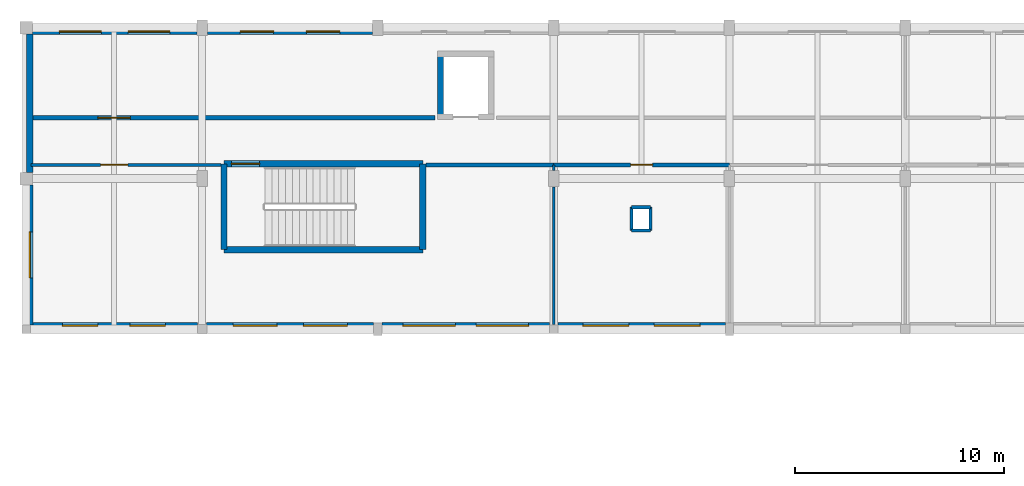
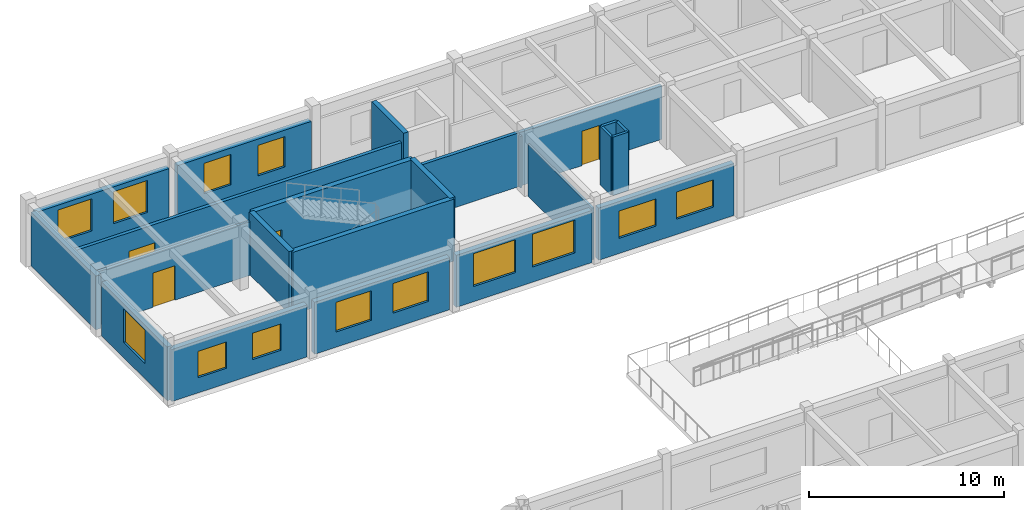
# One storey, part 29 of 41: 23 walls, 13 windows, 4 doors, 17 openings.
"""IFC4 building model written with IfcOpenShell, lengths in metres."""

from ifc_helpers import new_model, si_unit, direction, frame, frame_2d, origin, place, context, subcontext, project, spatial, rectangle, extrude, material, layer, layer_set, type_object, element, fill, save


model = new_model("IFC4")

# Units and contexts
model_context = context("Model", 3, precision=1e-05, world=origin(), true_north=direction((0.0, 1.0)))
body_context = subcontext(model_context, "Body", "Model", "MODEL_VIEW")
ifc_project = project(units=[si_unit("LENGTHUNIT", "METRE"), si_unit("AREAUNIT", "SQUARE_METRE"), si_unit("VOLUMEUNIT", "CUBIC_METRE"), si_unit("PLANEANGLEUNIT", "RADIAN"), si_unit("MASSUNIT", "GRAM", prefix="KILO")], contexts=[model_context])

# Site, building, storey
site_placement = place(None, origin())
site = spatial("IfcSite", under=ifc_project, at=site_placement, CompositionType="ELEMENT")
building_placement = place(site_placement, origin())
building = spatial("IfcBuilding", under=site, at=building_placement, Name="Malvenik Polytechnic", CompositionType="ELEMENT")
storey_placement = place(building_placement, frame((0.0, 0.0, 17.699951171875)))
storey = spatial("IfcBuildingStorey", under=building, at=storey_placement, Name="L04", CompositionType="ELEMENT", Elevation=17.699951171875)

# Walls
ifc_material_1 = material(Name="Concrete C35/45", Category="concrete")
ifc_layer_1 = layer(ifc_material_1, 0.280029296875)
ifc_layer_set_1 = layer_set([ifc_layer_1], Name="Concrete C35/45")
wall_type_1 = type_object("IfcWallType", Name="ARC-CW-S280", PredefinedType="SHEAR", material=ifc_layer_set_1)
wall_1_placement = place(storey_placement, frame((19.800048828125, 125.2099609375, 0.0), z_axis=(0.0, 0.0, 1.0), x_axis=(0.0, 1.0, 0.0)))
element("IfcWall", 1, at=wall_1_placement, inside=storey, type_object=wall_type_1, Name="Lift Shaft Shear Wall LS-01 L04 -X", PredefinedType="SHEAR", context=body_context, shape_type="SweptSolid", body=[
    extrude(rectangle(XDim=3.280029296875, YDim=0.280029296875, at=frame_2d((1.64013671875, 0.0))), origin(), (0.0, 0.0, 1.0), 3.880126953125),
])
ifc_layer_2 = layer(ifc_material_1, 0.300048828125)
ifc_layer_set_2 = layer_set([ifc_layer_2], Name="Concrete C35/45")
wall_type_2 = type_object("IfcWallType", Name="ARC-CW-S300", PredefinedType="SHEAR", material=ifc_layer_set_2)
wall_2_placement = place(storey_placement, frame((9.449951171875, 119.0, 0.0), z_axis=(0.0, 0.0, 1.0), x_axis=(0.0, 1.0, 0.0)))
element("IfcWall", 2, at=wall_2_placement, inside=storey, type_object=wall_type_2, Name="Stair Core Shear Wall ST-01 L04 NEAR", PredefinedType="SHEAR", context=body_context, shape_type="SweptSolid", body=[
    extrude(rectangle(XDim=4.10009765625, YDim=0.300048828125, at=frame_2d((2.050048828125, 0.0))), origin(), (0.0, 0.0, 1.0), 3.880126953125),
])

# Wall, opening, door
wall_3_placement = place(storey_placement, frame((9.449951171875, 123.10009765625, 0.0), z_axis=(0.0, 0.0, 1.0), x_axis=(1.0, 0.0, 0.0)))
wall_3 = element("IfcWall", 3, at=wall_3_placement, inside=storey, type_object=wall_type_2, Name="Stair Core Shear Wall ST-01 L04 RGHT", PredefinedType="SHEAR", context=body_context, shape_type="SweptSolid", body=[
    extrude(rectangle(XDim=9.5, YDim=0.300048828125, at=frame_2d((4.75, 0.0))), origin(), (0.0, 0.0, 1.0), 3.880126953125),
])
opening_1_placement = place(wall_3_placement, frame((0.35009765625, 0.0, 0.0)))
opening_1 = element("IfcOpeningElement", 4, at=opening_1_placement, cuts=wall_3, Name="Opening SD-01", PredefinedType="OPENING", context=body_context, shape_type="SweptSolid", body=[
    extrude(rectangle(XDim=1.35009765625, YDim=2.199951171875, at=frame_2d((0.675048828125, 1.10009765625))), frame((0.0, 0.16015625, 0.0), z_axis=(0.0, -1.0, 0.0), x_axis=(1.0, 0.0, 0.0)), (0.0, 0.0, 1.0), 0.320068359375),
])
ifc_material_2 = material(Name="Fire-rated steel stair enclosure door", Category="steel")
door_type_1 = type_object("IfcDoorType", Name="ARC-IDR-SD-01", OperationType="NOTDEFINED", PredefinedType="DOOR", material=ifc_material_2)
door_1_placement = place(opening_1_placement, origin())
door_1 = element("IfcDoor", 5, at=door_1_placement, inside=storey, type_object=door_type_1, Name="Fire Stair Door ST-01 L04", OperationType="SINGLE_SWING_LEFT", OverallHeight=2.199951171875, OverallWidth=1.35009765625, PredefinedType="DOOR", context=body_context, shape_type="SweptSolid", body=[
    extrude(rectangle(XDim=1.35009765625, YDim=2.199951171875, at=frame_2d((0.675048828125, 1.10009765625))), frame((0.0, 0.02490234375, 0.0), z_axis=(0.0, -1.0, 0.0), x_axis=(1.0, 0.0, 0.0)), (0.0, 0.0, 1.0), 0.050048828125),
])
fill(opening_1, door_1)

# Walls
wall_4_placement = place(storey_placement, frame((18.949951171875, 123.10009765625, 0.0), z_axis=(0.0, 0.0, 1.0), x_axis=(0.0, -1.0, 0.0)))
element("IfcWall", 6, at=wall_4_placement, inside=storey, type_object=wall_type_2, Name="Stair Core Shear Wall ST-01 L04 FAR", PredefinedType="SHEAR", context=body_context, shape_type="SweptSolid", body=[
    extrude(rectangle(XDim=4.10009765625, YDim=0.300048828125, at=frame_2d((2.050048828125, 0.0))), origin(), (0.0, 0.0, 1.0), 3.880126953125),
])
wall_5_placement = place(storey_placement, frame((18.949951171875, 119.0, 0.0), z_axis=(0.0, 0.0, 1.0), x_axis=(-1.0, 0.0, 0.0)))
element("IfcWall", 7, at=wall_5_placement, inside=storey, type_object=wall_type_2, Name="Stair Core Shear Wall ST-01 L04 LEFT", PredefinedType="SHEAR", context=body_context, shape_type="SweptSolid", body=[
    extrude(rectangle(XDim=9.5, YDim=0.300048828125, at=frame_2d((4.75, 0.0))), origin(), (0.0, 0.0, 1.0), 3.880126953125),
])

# Wall, opening, window
ifc_material_3 = material(Name="Brick masonry M15", Category="masonry")
ifc_layer_3 = layer(ifc_material_3, 0.31005859375)
ifc_layer_set_3 = layer_set([ifc_layer_3], Name="Brick masonry M15")
wall_type_3 = type_object("IfcWallType", Name="ARC-EW-310", PredefinedType="SOLIDWALL", material=ifc_layer_set_3)
wall_6_placement = place(storey_placement, frame((0.169921875, 115.39794921875, 0.0), z_axis=(0.0, 0.0, 1.0), x_axis=(0.0, 1.0, 0.0)))
wall_6 = element("IfcWall", 8, at=wall_6_placement, inside=storey, type_object=wall_type_3, Name="External Facade Wall EW-03 L04 #416", PredefinedType="SOLIDWALL", context=body_context, shape_type="SweptSolid", body=[
    extrude(rectangle(XDim=6.7041015625, YDim=0.31005859375, at=frame_2d((3.35205078125, 0.0))), origin(), (0.0, 0.0, 1.0), 3.360107421875),
])
opening_2_placement = place(wall_6_placement, frame((2.251953125, 0.0, 0.949951171875)))
opening_2 = element("IfcOpeningElement", 9, at=opening_2_placement, cuts=wall_6, Name="Opening W-02", PredefinedType="OPENING", context=body_context, shape_type="SweptSolid", body=[
    extrude(rectangle(XDim=2.199951171875, YDim=2.10009765625, at=frame_2d((1.10009765625, 1.050048828125))), frame((0.0, 0.1650390625, 0.0), z_axis=(0.0, -1.0, 0.0), x_axis=(1.0, 0.0, 0.0)), (0.0, 0.0, 1.0), 0.330078125),
])
ifc_material_4 = material(Name="Thermally broken aluminium frame with low-E double glazing", Category="aluminium")
window_type_1 = type_object("IfcWindowType", Name="ARC-WIN-W-02", PartitioningType="SINGLE_PANEL", PredefinedType="WINDOW", material=ifc_material_4)
window_1_placement = place(opening_2_placement, origin())
window_1 = element("IfcWindow", 10, at=window_1_placement, inside=storey, type_object=window_type_1, Name="Punched Window W-02 L04 #424", OverallHeight=2.10009765625, OverallWidth=2.199951171875, PartitioningType="SINGLE_PANEL", PredefinedType="WINDOW", context=body_context, shape_type="SweptSolid", body=[
    extrude(rectangle(XDim=2.199951171875, YDim=2.10009765625, at=frame_2d((1.10009765625, 1.050048828125))), frame((0.0, 0.030029296875, 0.0), z_axis=(0.0, -1.0, 0.0), x_axis=(1.0, 0.0, 0.0)), (0.0, 0.0, 1.0), 0.06005859375),
])
fill(opening_2, window_1)

# Wall
wall_7_placement = place(storey_placement, frame((0.169921875, 122.697998046875, 0.0), z_axis=(0.0, 0.0, 1.0), x_axis=(0.0, 1.0, 0.0)))
element("IfcWall", 11, at=wall_7_placement, inside=storey, type_object=wall_type_3, Name="External Facade Wall EW-03 L04 #417", PredefinedType="SOLIDWALL", context=body_context, shape_type="SweptSolid", body=[
    extrude(rectangle(XDim=6.60400390625, YDim=0.31005859375, at=frame_2d((3.302001953125, 0.0))), origin(), (0.0, 0.0, 1.0), 3.360107421875),
])

# Wall, openings, windows
wall_8_placement = place(storey_placement, frame((0.298095703125, 129.429931640625, 0.0), z_axis=(0.0, 0.0, 1.0), x_axis=(1.0, 0.0, 0.0)))
wall_8 = element("IfcWall", 12, at=wall_8_placement, inside=storey, type_object=wall_type_3, Name="External Facade Wall EW-03 L04 #418", PredefinedType="SOLIDWALL", context=body_context, shape_type="SweptSolid", body=[
    extrude(rectangle(XDim=7.85400390625, YDim=0.31005859375, at=frame_2d((3.927001953125, 0.0))), origin(), (0.0, 0.0, 1.0), 3.25),
])
opening_3_placement = place(wall_8_placement, frame((1.28466796875, 0.0, 0.949951171875)))
opening_3 = element("IfcOpeningElement", 13, at=opening_3_placement, cuts=wall_8, Name="Opening W-03", PredefinedType="OPENING", context=body_context, shape_type="SweptSolid", body=[
    extrude(rectangle(XDim=2.0, YDim=2.0, at=frame_2d((1.0, 1.0))), frame((0.0, 0.1650390625, 0.0), z_axis=(0.0, -1.0, 0.0), x_axis=(1.0, 0.0, 0.0)), (0.0, 0.0, 1.0), 0.330078125),
])
opening_4_placement = place(wall_8_placement, frame((4.5693359375, 0.0, 0.949951171875)))
opening_4 = element("IfcOpeningElement", 14, at=opening_4_placement, cuts=wall_8, Name="Opening W-03", PredefinedType="OPENING", context=body_context, shape_type="SweptSolid", body=[
    extrude(rectangle(XDim=2.0, YDim=2.0, at=frame_2d((1.0, 1.0))), frame((0.0, 0.1650390625, 0.0), z_axis=(0.0, -1.0, 0.0), x_axis=(1.0, 0.0, 0.0)), (0.0, 0.0, 1.0), 0.330078125),
])
window_type_2 = type_object("IfcWindowType", Name="ARC-WIN-W-03", PartitioningType="SINGLE_PANEL", PredefinedType="WINDOW", material=ifc_material_4)
window_2_placement = place(opening_3_placement, origin())
window_2 = element("IfcWindow", 15, at=window_2_placement, inside=storey, type_object=window_type_2, Name="Punched Window W-03 L04 #425", OverallHeight=2.0, OverallWidth=2.0, PartitioningType="SINGLE_PANEL", PredefinedType="WINDOW", context=body_context, shape_type="SweptSolid", body=[
    extrude(rectangle(XDim=2.0, YDim=2.0, at=frame_2d((1.0, 1.0))), frame((0.0, 0.030029296875, 0.0), z_axis=(0.0, -1.0, 0.0), x_axis=(1.0, 0.0, 0.0)), (0.0, 0.0, 1.0), 0.06005859375),
])
fill(opening_3, window_2)
window_3_placement = place(opening_4_placement, origin())
window_3 = element("IfcWindow", 16, at=window_3_placement, inside=storey, type_object=window_type_2, Name="Punched Window W-03 L04 #426", OverallHeight=2.0, OverallWidth=2.0, PartitioningType="SINGLE_PANEL", PredefinedType="WINDOW", context=body_context, shape_type="SweptSolid", body=[
    extrude(rectangle(XDim=2.0, YDim=2.0, at=frame_2d((1.0, 1.0))), frame((0.0, 0.030029296875, 0.0), z_axis=(0.0, -1.0, 0.0), x_axis=(1.0, 0.0, 0.0)), (0.0, 0.0, 1.0), 0.06005859375),
])
fill(opening_4, window_3)

wall_9_placement = place(storey_placement, frame((8.64794921875, 129.429931640625, 0.0), z_axis=(0.0, 0.0, 1.0), x_axis=(1.0, 0.0, 0.0)))
wall_9 = element("IfcWall", 17, at=wall_9_placement, inside=storey, type_object=wall_type_3, Name="External Facade Wall EW-03 L04 #419", PredefinedType="SOLIDWALL", context=body_context, shape_type="SweptSolid", body=[
    extrude(rectangle(XDim=7.904052734375, YDim=0.31005859375, at=frame_2d((3.9521484375, 0.0))), origin(), (0.0, 0.0, 1.0), 3.25),
])
opening_5_placement = place(wall_9_placement, frame((1.568115234375, 0.0, 0.949951171875)))
opening_5 = element("IfcOpeningElement", 18, at=opening_5_placement, cuts=wall_9, Name="Opening W-05", PredefinedType="OPENING", context=body_context, shape_type="SweptSolid", body=[
    extrude(rectangle(XDim=1.60009765625, YDim=1.89990234375, at=frame_2d((0.800048828125, 0.949951171875))), frame((0.0, 0.1650390625, 0.0), z_axis=(0.0, -1.0, 0.0), x_axis=(1.0, 0.0, 0.0)), (0.0, 0.0, 1.0), 0.330078125),
])
opening_6_placement = place(wall_9_placement, frame((4.736083984375, 0.0, 0.949951171875)))
opening_6 = element("IfcOpeningElement", 19, at=opening_6_placement, cuts=wall_9, Name="Opening W-05", PredefinedType="OPENING", context=body_context, shape_type="SweptSolid", body=[
    extrude(rectangle(XDim=1.60009765625, YDim=1.89990234375, at=frame_2d((0.800048828125, 0.949951171875))), frame((0.0, 0.1650390625, 0.0), z_axis=(0.0, -1.0, 0.0), x_axis=(1.0, 0.0, 0.0)), (0.0, 0.0, 1.0), 0.330078125),
])
window_type_3 = type_object("IfcWindowType", Name="ARC-WIN-W-05", PartitioningType="SINGLE_PANEL", PredefinedType="WINDOW", material=ifc_material_4)
window_4_placement = place(opening_5_placement, origin())
window_4 = element("IfcWindow", 20, at=window_4_placement, inside=storey, type_object=window_type_3, Name="Punched Window W-05 L04 #427", OverallHeight=1.89990234375, OverallWidth=1.60009765625, PartitioningType="SINGLE_PANEL", PredefinedType="WINDOW", context=body_context, shape_type="SweptSolid", body=[
    extrude(rectangle(XDim=1.60009765625, YDim=1.89990234375, at=frame_2d((0.800048828125, 0.949951171875))), frame((0.0, 0.030029296875, 0.0), z_axis=(0.0, -1.0, 0.0), x_axis=(1.0, 0.0, 0.0)), (0.0, 0.0, 1.0), 0.06005859375),
])
fill(opening_5, window_4)
window_5_placement = place(opening_6_placement, origin())
window_5 = element("IfcWindow", 21, at=window_5_placement, inside=storey, type_object=window_type_3, Name="Punched Window W-05 L04 #428", OverallHeight=1.89990234375, OverallWidth=1.60009765625, PartitioningType="SINGLE_PANEL", PredefinedType="WINDOW", context=body_context, shape_type="SweptSolid", body=[
    extrude(rectangle(XDim=1.60009765625, YDim=1.89990234375, at=frame_2d((0.800048828125, 0.949951171875))), frame((0.0, 0.030029296875, 0.0), z_axis=(0.0, -1.0, 0.0), x_axis=(1.0, 0.0, 0.0)), (0.0, 0.0, 1.0), 0.06005859375),
])
fill(opening_6, window_5)

wall_10_placement = place(storey_placement, frame((33.402099609375, 115.3701171875, 0.0), z_axis=(0.0, 0.0, 1.0), x_axis=(-1.0, 0.0, 0.0)))
wall_10 = element("IfcWall", 22, at=wall_10_placement, inside=storey, type_object=wall_type_3, Name="External Facade Wall EW-03 L04 #448", PredefinedType="SOLIDWALL", context=body_context, shape_type="SweptSolid", body=[
    extrude(rectangle(XDim=8.004150390625, YDim=0.31005859375, at=frame_2d((4.001953125, 0.0))), origin(), (0.0, 0.0, 1.0), 3.25),
])
opening_7_placement = place(wall_10_placement, frame((1.201416015625, 0.0, 0.949951171875)))
opening_7 = element("IfcOpeningElement", 23, at=opening_7_placement, cuts=wall_10, Name="Opening W-19", PredefinedType="OPENING", context=body_context, shape_type="SweptSolid", body=[
    extrude(rectangle(XDim=2.199951171875, YDim=1.699951171875, at=frame_2d((1.10009765625, 0.85009765625))), frame((0.0, 0.1650390625, 0.0), z_axis=(0.0, -1.0, 0.0), x_axis=(1.0, 0.0, 0.0)), (0.0, 0.0, 1.0), 0.330078125),
])
opening_8_placement = place(wall_10_placement, frame((4.6025390625, 0.0, 0.949951171875)))
opening_8 = element("IfcOpeningElement", 24, at=opening_8_placement, cuts=wall_10, Name="Opening W-19", PredefinedType="OPENING", context=body_context, shape_type="SweptSolid", body=[
    extrude(rectangle(XDim=2.199951171875, YDim=1.699951171875, at=frame_2d((1.10009765625, 0.85009765625))), frame((0.0, 0.1650390625, 0.0), z_axis=(0.0, -1.0, 0.0), x_axis=(1.0, 0.0, 0.0)), (0.0, 0.0, 1.0), 0.330078125),
])
window_type_4 = type_object("IfcWindowType", Name="ARC-WIN-W-19", PartitioningType="SINGLE_PANEL", PredefinedType="WINDOW", material=ifc_material_4)
window_6_placement = place(opening_7_placement, origin())
window_6 = element("IfcWindow", 25, at=window_6_placement, inside=storey, type_object=window_type_4, Name="Punched Window W-19 L04 #473", OverallHeight=1.699951171875, OverallWidth=2.199951171875, PartitioningType="SINGLE_PANEL", PredefinedType="WINDOW", context=body_context, shape_type="SweptSolid", body=[
    extrude(rectangle(XDim=2.199951171875, YDim=1.699951171875, at=frame_2d((1.10009765625, 0.85009765625))), frame((0.0, 0.030029296875, 0.0), z_axis=(0.0, -1.0, 0.0), x_axis=(1.0, 0.0, 0.0)), (0.0, 0.0, 1.0), 0.06005859375),
])
fill(opening_7, window_6)
window_7_placement = place(opening_8_placement, origin())
window_7 = element("IfcWindow", 26, at=window_7_placement, inside=storey, type_object=window_type_4, Name="Punched Window W-19 L04 #474", OverallHeight=1.699951171875, OverallWidth=2.199951171875, PartitioningType="SINGLE_PANEL", PredefinedType="WINDOW", context=body_context, shape_type="SweptSolid", body=[
    extrude(rectangle(XDim=2.199951171875, YDim=1.699951171875, at=frame_2d((1.10009765625, 0.85009765625))), frame((0.0, 0.030029296875, 0.0), z_axis=(0.0, -1.0, 0.0), x_axis=(1.0, 0.0, 0.0)), (0.0, 0.0, 1.0), 0.06005859375),
])
fill(opening_8, window_7)

wall_11_placement = place(storey_placement, frame((25.001953125, 115.3701171875, 0.0), z_axis=(0.0, 0.0, 1.0), x_axis=(-1.0, 0.0, 0.0)))
wall_11 = element("IfcWall", 27, at=wall_11_placement, inside=storey, type_object=wall_type_3, Name="External Facade Wall EW-03 L04 #449", PredefinedType="SOLIDWALL", context=body_context, shape_type="SweptSolid", body=[
    extrude(rectangle(XDim=8.00390625, YDim=0.31005859375, at=frame_2d((4.001953125, 0.0))), origin(), (0.0, 0.0, 1.0), 3.25),
])
opening_9_placement = place(wall_11_placement, frame((1.001220703125, 0.0, 0.949951171875)))
opening_9 = element("IfcOpeningElement", 28, at=opening_9_placement, cuts=wall_11, Name="Opening W-21", PredefinedType="OPENING", context=body_context, shape_type="SweptSolid", body=[
    extrude(rectangle(XDim=2.5, YDim=2.050048828125, at=frame_2d((1.25, 1.02490234375))), frame((0.0, 0.1650390625, 0.0), z_axis=(0.0, -1.0, 0.0), x_axis=(1.0, 0.0, 0.0)), (0.0, 0.0, 1.0), 0.330078125),
])
opening_10_placement = place(wall_11_placement, frame((4.502685546875, 0.0, 0.949951171875)))
opening_10 = element("IfcOpeningElement", 29, at=opening_10_placement, cuts=wall_11, Name="Opening W-21", PredefinedType="OPENING", context=body_context, shape_type="SweptSolid", body=[
    extrude(rectangle(XDim=2.5, YDim=2.050048828125, at=frame_2d((1.25, 1.02490234375))), frame((0.0, 0.1650390625, 0.0), z_axis=(0.0, -1.0, 0.0), x_axis=(1.0, 0.0, 0.0)), (0.0, 0.0, 1.0), 0.330078125),
])
window_type_5 = type_object("IfcWindowType", Name="ARC-WIN-W-21", PartitioningType="SINGLE_PANEL", PredefinedType="WINDOW", material=ifc_material_4)
window_8_placement = place(opening_9_placement, origin())
window_8 = element("IfcWindow", 30, at=window_8_placement, inside=storey, type_object=window_type_5, Name="Punched Window W-21 L04 #475", OverallHeight=2.050048828125, OverallWidth=2.5, PartitioningType="SINGLE_PANEL", PredefinedType="WINDOW", context=body_context, shape_type="SweptSolid", body=[
    extrude(rectangle(XDim=2.5, YDim=2.050048828125, at=frame_2d((1.25, 1.02490234375))), frame((0.0, 0.030029296875, 0.0), z_axis=(0.0, -1.0, 0.0), x_axis=(1.0, 0.0, 0.0)), (0.0, 0.0, 1.0), 0.06005859375),
])
fill(opening_9, window_8)
window_9_placement = place(opening_10_placement, origin())
window_9 = element("IfcWindow", 31, at=window_9_placement, inside=storey, type_object=window_type_5, Name="Punched Window W-21 L04 #476", OverallHeight=2.050048828125, OverallWidth=2.5, PartitioningType="SINGLE_PANEL", PredefinedType="WINDOW", context=body_context, shape_type="SweptSolid", body=[
    extrude(rectangle(XDim=2.5, YDim=2.050048828125, at=frame_2d((1.25, 1.02490234375))), frame((0.0, 0.030029296875, 0.0), z_axis=(0.0, -1.0, 0.0), x_axis=(1.0, 0.0, 0.0)), (0.0, 0.0, 1.0), 0.06005859375),
])
fill(opening_10, window_9)

wall_12_placement = place(storey_placement, frame((16.60205078125, 115.3701171875, 0.0), z_axis=(0.0, 0.0, 1.0), x_axis=(-1.0, 0.0, 0.0)))
wall_12 = element("IfcWall", 32, at=wall_12_placement, inside=storey, type_object=wall_type_3, Name="External Facade Wall EW-03 L04 #450", PredefinedType="SOLIDWALL", context=body_context, shape_type="SweptSolid", body=[
    extrude(rectangle(XDim=7.97900390625, YDim=0.31005859375, at=frame_2d((3.989501953125, 0.0))), origin(), (0.0, 0.0, 1.0), 3.25),
])
opening_11_placement = place(wall_12_placement, frame((1.259765625, 0.0, 0.949951171875)))
opening_11 = element("IfcOpeningElement", 33, at=opening_11_placement, cuts=wall_12, Name="Opening W-23", PredefinedType="OPENING", context=body_context, shape_type="SweptSolid", body=[
    extrude(rectangle(XDim=2.10009765625, YDim=1.85009765625, at=frame_2d((1.050048828125, 0.925048828125))), frame((0.0, 0.1650390625, 0.0), z_axis=(0.0, -1.0, 0.0), x_axis=(1.0, 0.0, 0.0)), (0.0, 0.0, 1.0), 0.330078125),
])
opening_12_placement = place(wall_12_placement, frame((4.619384765625, 0.0, 0.949951171875)))
opening_12 = element("IfcOpeningElement", 34, at=opening_12_placement, cuts=wall_12, Name="Opening W-23", PredefinedType="OPENING", context=body_context, shape_type="SweptSolid", body=[
    extrude(rectangle(XDim=2.10009765625, YDim=1.85009765625, at=frame_2d((1.050048828125, 0.925048828125))), frame((0.0, 0.1650390625, 0.0), z_axis=(0.0, -1.0, 0.0), x_axis=(1.0, 0.0, 0.0)), (0.0, 0.0, 1.0), 0.330078125),
])
window_type_6 = type_object("IfcWindowType", Name="ARC-WIN-W-23", PartitioningType="SINGLE_PANEL", PredefinedType="WINDOW", material=ifc_material_4)
window_10_placement = place(opening_11_placement, origin())
window_10 = element("IfcWindow", 35, at=window_10_placement, inside=storey, type_object=window_type_6, Name="Punched Window W-23 L04 #477", OverallHeight=1.85009765625, OverallWidth=2.10009765625, PartitioningType="SINGLE_PANEL", PredefinedType="WINDOW", context=body_context, shape_type="SweptSolid", body=[
    extrude(rectangle(XDim=2.10009765625, YDim=1.85009765625, at=frame_2d((1.050048828125, 0.925048828125))), frame((0.0, 0.030029296875, 0.0), z_axis=(0.0, -1.0, 0.0), x_axis=(1.0, 0.0, 0.0)), (0.0, 0.0, 1.0), 0.06005859375),
])
fill(opening_11, window_10)
window_11_placement = place(opening_12_placement, origin())
window_11 = element("IfcWindow", 36, at=window_11_placement, inside=storey, type_object=window_type_6, Name="Punched Window W-23 L04 #478", OverallHeight=1.85009765625, OverallWidth=2.10009765625, PartitioningType="SINGLE_PANEL", PredefinedType="WINDOW", context=body_context, shape_type="SweptSolid", body=[
    extrude(rectangle(XDim=2.10009765625, YDim=1.85009765625, at=frame_2d((1.050048828125, 0.925048828125))), frame((0.0, 0.030029296875, 0.0), z_axis=(0.0, -1.0, 0.0), x_axis=(1.0, 0.0, 0.0)), (0.0, 0.0, 1.0), 0.06005859375),
])
fill(opening_12, window_11)

wall_13_placement = place(storey_placement, frame((8.177001953125, 115.3701171875, 0.0), z_axis=(0.0, 0.0, 1.0), x_axis=(-1.0, 0.0, 0.0)))
wall_13 = element("IfcWall", 37, at=wall_13_placement, inside=storey, type_object=wall_type_3, Name="External Facade Wall EW-03 L04 #451", PredefinedType="SOLIDWALL", context=body_context, shape_type="SweptSolid", body=[
    extrude(rectangle(XDim=7.97900390625, YDim=0.31005859375, at=frame_2d((3.989501953125, 0.0))), origin(), (0.0, 0.0, 1.0), 3.25),
])
opening_13_placement = place(wall_13_placement, frame((1.5263671875, 0.0, 0.949951171875)))
opening_13 = element("IfcOpeningElement", 38, at=opening_13_placement, cuts=wall_13, Name="Opening W-25", PredefinedType="OPENING", context=body_context, shape_type="SweptSolid", body=[
    extrude(rectangle(XDim=1.699951171875, YDim=1.64990234375, at=frame_2d((0.85009765625, 0.824951171875))), frame((0.0, 0.1650390625, 0.0), z_axis=(0.0, -1.0, 0.0), x_axis=(1.0, 0.0, 0.0)), (0.0, 0.0, 1.0), 0.330078125),
])
opening_14_placement = place(wall_13_placement, frame((4.752685546875, 0.0, 0.949951171875)))
opening_14 = element("IfcOpeningElement", 39, at=opening_14_placement, cuts=wall_13, Name="Opening W-25", PredefinedType="OPENING", context=body_context, shape_type="SweptSolid", body=[
    extrude(rectangle(XDim=1.699951171875, YDim=1.64990234375, at=frame_2d((0.85009765625, 0.824951171875))), frame((0.0, 0.1650390625, 0.0), z_axis=(0.0, -1.0, 0.0), x_axis=(1.0, 0.0, 0.0)), (0.0, 0.0, 1.0), 0.330078125),
])
window_type_7 = type_object("IfcWindowType", Name="ARC-WIN-W-25", PartitioningType="SINGLE_PANEL", PredefinedType="WINDOW", material=ifc_material_4)
window_12_placement = place(opening_13_placement, origin())
window_12 = element("IfcWindow", 40, at=window_12_placement, inside=storey, type_object=window_type_7, Name="Punched Window W-25 L04 #479", OverallHeight=1.64990234375, OverallWidth=1.699951171875, PartitioningType="SINGLE_PANEL", PredefinedType="WINDOW", context=body_context, shape_type="SweptSolid", body=[
    extrude(rectangle(XDim=1.699951171875, YDim=1.64990234375, at=frame_2d((0.85009765625, 0.824951171875))), frame((0.0, 0.030029296875, 0.0), z_axis=(0.0, -1.0, 0.0), x_axis=(1.0, 0.0, 0.0)), (0.0, 0.0, 1.0), 0.06005859375),
])
fill(opening_13, window_12)
window_13_placement = place(opening_14_placement, origin())
window_13 = element("IfcWindow", 41, at=window_13_placement, inside=storey, type_object=window_type_7, Name="Punched Window W-25 L04 #480", OverallHeight=1.64990234375, OverallWidth=1.699951171875, PartitioningType="SINGLE_PANEL", PredefinedType="WINDOW", context=body_context, shape_type="SweptSolid", body=[
    extrude(rectangle(XDim=1.699951171875, YDim=1.64990234375, at=frame_2d((0.85009765625, 0.824951171875))), frame((0.0, 0.030029296875, 0.0), z_axis=(0.0, -1.0, 0.0), x_axis=(1.0, 0.0, 0.0)), (0.0, 0.0, 1.0), 0.06005859375),
])
fill(opening_14, window_13)

# Wall, opening, door
ifc_material_5 = material(Name="Calcium silicate fire-rated blockwork 200mm", Category="masonry")
ifc_layer_4 = layer(ifc_material_5, 0.199951171875)
ifc_layer_set_4 = layer_set([ifc_layer_4], Name="Calcium silicate fire-rated blockwork 200mm")
wall_type_4 = type_object("IfcWallType", Name="ARC-FW-200", PredefinedType="SOLIDWALL", material=ifc_layer_set_4)
wall_14_placement = place(storey_placement, frame((0.219970703125, 125.300048828125, 0.0), z_axis=(0.0, 0.0, 1.0), x_axis=(1.0, 0.0, 0.0)))
wall_14 = element("IfcWall", 42, at=wall_14_placement, inside=storey, type_object=wall_type_4, Name="Interior Partition FW-02 L04 #352", PredefinedType="SOLIDWALL", context=body_context, shape_type="SweptSolid", body=[
    extrude(rectangle(XDim=19.31005859375, YDim=0.199951171875, at=frame_2d((9.655029296875, 0.0))), origin(), (0.0, 0.0, 1.0), 3.35498046875),
])
opening_15_placement = place(wall_14_placement, frame((3.205078125, 0.0, 0.0)))
opening_15 = element("IfcOpeningElement", 43, at=opening_15_placement, cuts=wall_14, Name="Opening FD-09", PredefinedType="OPENING", context=body_context, shape_type="SweptSolid", body=[
    extrude(rectangle(XDim=1.550048828125, YDim=2.199951171875, at=frame_2d((0.77490234375, 1.10009765625))), frame((0.0, 0.10986328125, 0.0), z_axis=(0.0, -1.0, 0.0), x_axis=(1.0, 0.0, 0.0)), (0.0, 0.0, 1.0), 0.219970703125),
])
ifc_material_6 = material(Name="Fire-rated studio corridor double door", Category="steel")
door_type_2 = type_object("IfcDoorType", Name="ARC-IDR-FD-09", OperationType="NOTDEFINED", PredefinedType="DOOR", material=ifc_material_6)
door_2_placement = place(opening_15_placement, origin())
door_2 = element("IfcDoor", 44, at=door_2_placement, inside=storey, type_object=door_type_2, Name="Interior Door FD-09 L04 #150", OperationType="DOUBLE_DOOR_SINGLE_SWING", OverallHeight=2.199951171875, OverallWidth=1.550048828125, PredefinedType="DOOR", context=body_context, shape_type="SweptSolid", body=[
    extrude(rectangle(XDim=1.550048828125, YDim=2.199951171875, at=frame_2d((0.77490234375, 1.10009765625))), frame((0.0, 0.02490234375, 0.0), z_axis=(0.0, -1.0, 0.0), x_axis=(1.0, 0.0, 0.0)), (0.0, 0.0, 1.0), 0.050048828125),
])
fill(opening_15, door_2)

# Wall
wall_15_placement = place(storey_placement, frame((25.199951171875, 123.050048828125, 0.0), z_axis=(0.0, 0.0, 1.0), x_axis=(-1.0, 0.0, 0.0)))
element("IfcWall", 45, at=wall_15_placement, inside=storey, type_object=wall_type_4, Name="Interior Partition FW-02 L04 #362", PredefinedType="SOLIDWALL", context=body_context, shape_type="SweptSolid", body=[
    extrude(rectangle(XDim=6.10986328125, YDim=0.199951171875, at=frame_2d((3.054931640625, 0.0))), origin(), (0.0, 0.0, 1.0), 3.35498046875),
])

# Wall, opening, door
wall_16_placement = place(storey_placement, frame((33.60009765625, 123.050048828125, 0.0), z_axis=(0.0, 0.0, 1.0), x_axis=(-1.0, 0.0, 0.0)))
wall_16 = element("IfcWall", 46, at=wall_16_placement, inside=storey, type_object=wall_type_4, Name="Interior Partition FW-02 L04 #366", PredefinedType="SOLIDWALL", context=body_context, shape_type="SweptSolid", body=[
    extrude(rectangle(XDim=8.400146484375, YDim=0.199951171875, at=frame_2d((4.2001953125, 0.0))), origin(), (0.0, 0.0, 1.0), 3.35498046875),
])
opening_16_placement = place(wall_16_placement, frame((3.675048828125, 0.0, 0.0)))
opening_16 = element("IfcOpeningElement", 47, at=opening_16_placement, cuts=wall_16, Name="Opening FD-05", PredefinedType="OPENING", context=body_context, shape_type="SweptSolid", body=[
    extrude(rectangle(XDim=1.050048828125, YDim=2.14990234375, at=frame_2d((0.52490234375, 1.074951171875))), frame((0.0, 0.10986328125, 0.0), z_axis=(0.0, -1.0, 0.0), x_axis=(1.0, 0.0, 0.0)), (0.0, 0.0, 1.0), 0.219970703125),
])
ifc_material_7 = material(Name="Fire-rated archive room door", Category="steel")
door_type_3 = type_object("IfcDoorType", Name="ARC-IDR-FD-05", OperationType="NOTDEFINED", PredefinedType="DOOR", material=ifc_material_7)
door_3_placement = place(opening_16_placement, origin())
door_3 = element("IfcDoor", 48, at=door_3_placement, inside=storey, type_object=door_type_3, Name="Interior Door FD-05 L04 #155", OperationType="SINGLE_SWING_LEFT", OverallHeight=2.14990234375, OverallWidth=1.050048828125, PredefinedType="DOOR", context=body_context, shape_type="SweptSolid", body=[
    extrude(rectangle(XDim=1.050048828125, YDim=2.14990234375, at=frame_2d((0.52490234375, 1.074951171875))), frame((0.0, 0.02490234375, 0.0), z_axis=(0.0, -1.0, 0.0), x_axis=(1.0, 0.0, 0.0)), (0.0, 0.0, 1.0), 0.050048828125),
])
fill(opening_16, door_3)

# Walls
ifc_material_8 = material(Name="Lightweight gypsum partition 110mm", Category="gypsum")
ifc_layer_5 = layer(ifc_material_8, 0.110107421875)
ifc_layer_set_5 = layer_set([ifc_layer_5], Name="Lightweight gypsum partition 110mm")
wall_type_5 = type_object("IfcWallType", Name="ARC-PW-110", PredefinedType="PARTITIONING", material=ifc_layer_set_5)
wall_17_placement = place(storey_placement, frame((25.199951171875, 122.794921875, 0.0), z_axis=(0.0, 0.0, 1.0), x_axis=(0.0, 1.0, 0.0)))
element("IfcWall", 49, at=wall_17_placement, inside=storey, type_object=wall_type_5, Name="Interior Partition PW-04I L04 #365", PredefinedType="PARTITIONING", context=body_context, shape_type="SweptSolid", body=[
    extrude(rectangle(XDim=0.255126953125, YDim=0.110107421875, at=frame_2d((0.12744140625, 0.0))), origin(), (0.0, 0.0, 1.0), 3.22509765625),
])
ifc_material_9 = material(Name="Metal-stud gypsum board partition 125mm", Category="gypsum")
ifc_layer_6 = layer(ifc_material_9, 0.125)
ifc_layer_set_6 = layer_set([ifc_layer_6], Name="Metal-stud gypsum board partition 125mm")
wall_type_6 = type_object("IfcWallType", Name="ARC-PW-125", PredefinedType="PARTITIONING", material=ifc_layer_set_6)
wall_18_placement = place(storey_placement, frame((25.199951171875, 115.419921875, 0.0), z_axis=(0.0, 0.0, 1.0), x_axis=(0.0, 1.0, 0.0)))
element("IfcWall", 50, at=wall_18_placement, inside=storey, type_object=wall_type_6, Name="Interior Partition PW-03I L04 #364", PredefinedType="PARTITIONING", context=body_context, shape_type="SweptSolid", body=[
    extrude(rectangle(XDim=6.5849609375, YDim=0.125, at=frame_2d((3.29248046875, 0.0))), origin(), (0.0, 0.0, 1.0), 3.22509765625),
])
ifc_material_10 = material(Name="Double-stud acoustic gypsum board partition 160mm", Category="gypsum")
ifc_layer_7 = layer(ifc_material_10, 0.159912109375)
ifc_layer_set_7 = layer_set([ifc_layer_7], Name="Double-stud acoustic gypsum board partition 160mm")
wall_type_7 = type_object("IfcWallType", Name="ARC-PW-160", PredefinedType="PARTITIONING", material=ifc_layer_set_7)
for number, where, z_axis, x_axis, name in (
    (51, (28.919921875, 119.919921875, 0.0), (0.0, 0.0, 1.0), (1.0, 0.0, 0.0), "Riser Shaft Enclosure L04 #46S"),
    (52, (29.830078125, 121.030029296875, 0.0), (0.0, 0.0, 1.0), (-1.0, 0.0, 0.0), "Riser Shaft Enclosure L04 #46N"),
):
    element("IfcWall", number, at=place(storey_placement, frame(where, z_axis=z_axis, x_axis=x_axis)), inside=storey, type_object=wall_type_7, Name=name, PredefinedType="PARTITIONING", context=body_context, shape_type="SweptSolid", body=[
        extrude(rectangle(XDim=0.91015625, YDim=0.159912109375, at=frame_2d((0.455078125, 0.0))), origin(), (0.0, 0.0, 1.0), 3.650146484375),
    ])
for number, where, z_axis, x_axis, name in (
    (53, (28.919921875, 121.030029296875, 0.0), (0.0, 0.0, 1.0), (0.0, -1.0, 0.0), "Riser Shaft Enclosure L04 #46W"),
    (54, (29.830078125, 119.919921875, 0.0), (0.0, 0.0, 1.0), (0.0, 1.0, 0.0), "Riser Shaft Enclosure L04 #46E"),
):
    element("IfcWall", number, at=place(storey_placement, frame(where, z_axis=z_axis, x_axis=x_axis)), inside=storey, type_object=wall_type_7, Name=name, PredefinedType="PARTITIONING", context=body_context, shape_type="SweptSolid", body=[
        extrude(rectangle(XDim=1.110107421875, YDim=0.159912109375, at=frame_2d((0.55517578125, 0.0))), origin(), (0.0, 0.0, 1.0), 3.650146484375),
    ])

# Wall, opening, door
wall_19_placement = place(storey_placement, frame((9.31005859375, 123.050048828125, 0.0), z_axis=(0.0, 0.0, 1.0), x_axis=(-1.0, 0.0, 0.0)))
wall_19 = element("IfcWall", 55, at=wall_19_placement, inside=storey, type_object=wall_type_7, Name="Interior Partition PW-01I L04 #363", PredefinedType="PARTITIONING", context=body_context, shape_type="SweptSolid", body=[
    extrude(rectangle(XDim=9.090087890625, YDim=0.159912109375, at=frame_2d((4.544921875, 0.0))), origin(), (0.0, 0.0, 1.0), 3.35498046875),
])
opening_17_placement = place(wall_19_placement, frame((4.4599609375, 0.0, 0.0)))
opening_17 = element("IfcOpeningElement", 56, at=opening_17_placement, cuts=wall_19, Name="Opening FD-04", PredefinedType="OPENING", context=body_context, shape_type="SweptSolid", body=[
    extrude(rectangle(XDim=1.300048828125, YDim=2.14990234375, at=frame_2d((0.64990234375, 1.074951171875))), frame((0.0, 0.08984375, 0.0), z_axis=(0.0, -1.0, 0.0), x_axis=(1.0, 0.0, 0.0)), (0.0, 0.0, 1.0), 0.179931640625),
])
ifc_material_11 = material(Name="Fire-rated plant room steel door", Category="steel")
door_type_4 = type_object("IfcDoorType", Name="ARC-IDR-FD-04", OperationType="NOTDEFINED", PredefinedType="DOOR", material=ifc_material_11)
door_4_placement = place(opening_17_placement, origin())
door_4 = element("IfcDoor", 57, at=door_4_placement, inside=storey, type_object=door_type_4, Name="Interior Door FD-04 L04 #154", OperationType="SINGLE_SWING_RIGHT", OverallHeight=2.14990234375, OverallWidth=1.300048828125, PredefinedType="DOOR", context=body_context, shape_type="SweptSolid", body=[
    extrude(rectangle(XDim=1.300048828125, YDim=2.14990234375, at=frame_2d((0.64990234375, 1.074951171875))), frame((0.0, 0.02490234375, 0.0), z_axis=(0.0, -1.0, 0.0), x_axis=(1.0, 0.0, 0.0)), (0.0, 0.0, 1.0), 0.050048828125),
])
fill(opening_17, door_4)

save(model, "model.ifc")
